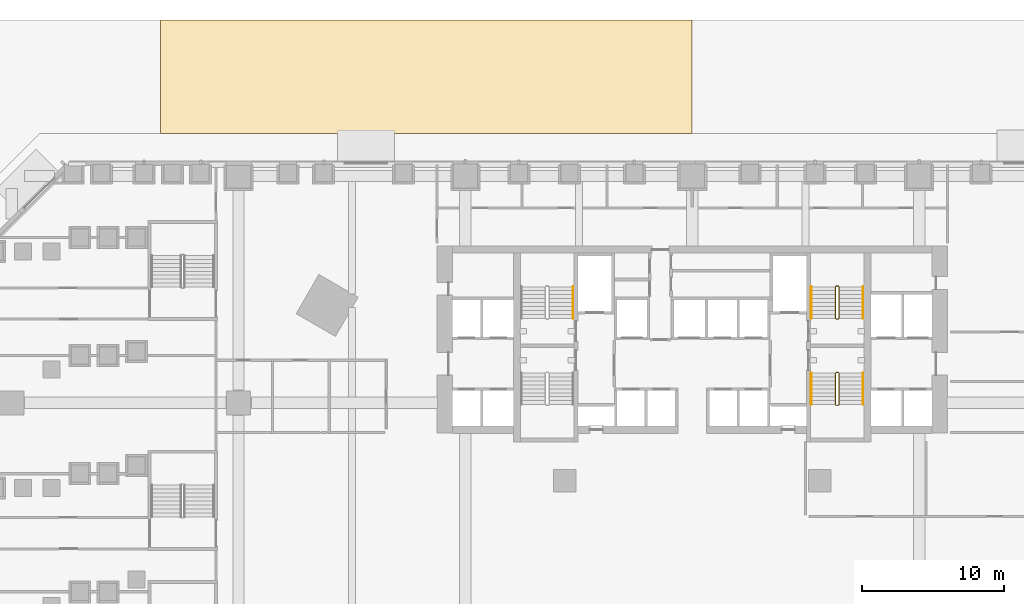
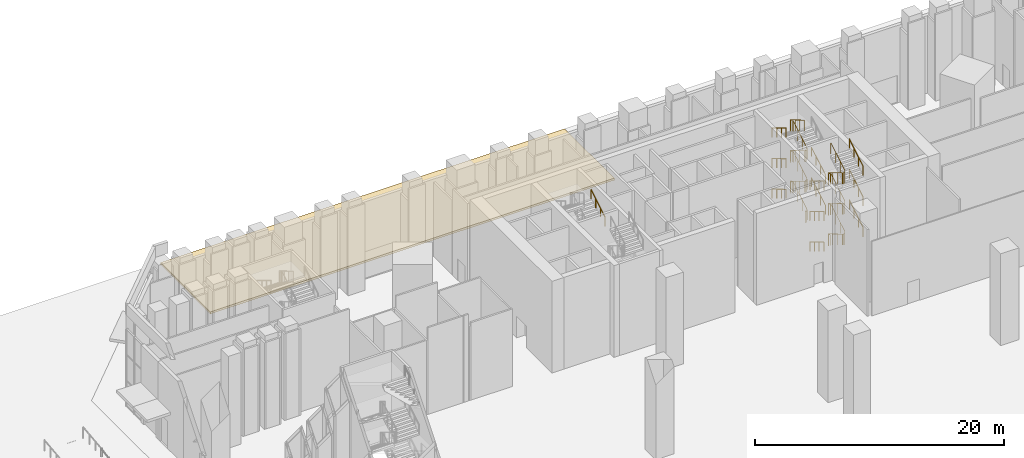
# One storey, part 47 of 51: 14 railings, 1 covering.
"""IFC4 building model written with IfcOpenShell, lengths in metres."""

from ifc_helpers import new_model, si_unit, direction, frame, origin, origin_2d, place, context, subcontext, project, spatial, polyline, circle, outline, extrude, material, layer, layer_set, type_object, element, save


model = new_model("IFC4")

# Units and contexts
model_context = context("Model", 3, precision=1e-05, world=origin(), true_north=direction((0.0, 1.0)))
body_context = subcontext(model_context, "Body", "Model", "MODEL_VIEW")
ifc_project = project(units=[si_unit("LENGTHUNIT", "METRE"), si_unit("AREAUNIT", "SQUARE_METRE"), si_unit("VOLUMEUNIT", "CUBIC_METRE"), si_unit("PLANEANGLEUNIT", "RADIAN"), si_unit("MASSUNIT", "GRAM", prefix="KILO")], contexts=[model_context])

# Site, building, storey
site_placement = place(None, origin())
site = spatial("IfcSite", under=ifc_project, at=site_placement, CompositionType="ELEMENT")
building_placement = place(site_placement, origin())
building = spatial("IfcBuilding", under=site, at=building_placement, Name="Calabash Gate Tower", CompositionType="ELEMENT")
storey_placement = place(building_placement, origin())
storey = spatial("IfcBuildingStorey", under=building, at=storey_placement, Name="L00", CompositionType="ELEMENT", Elevation=0.0)

# Covering
ifc_material_1 = material(Name="Granite paving on compacted gravel", Category="masonry")
ifc_layer = layer(ifc_material_1, 0.199951171875)
ifc_layer_set = layer_set([ifc_layer], Name="Granite paving slab 200")
covering_type = type_object("IfcCoveringType", Name="Granite paving slab 200", PredefinedType="FLOORING", material=ifc_layer_set)
covering_placement = place(storey_placement, frame((0.0, 0.0, -0.199951171875)))
element("IfcCovering", 1, at=covering_placement, inside=storey, type_object=covering_type, Name="Plaza paving 5", PredefinedType="FLOORING", context=body_context, shape_type="SweptSolid", body=[
    extrude(outline(polyline([(-37.5, 35.0), (-37.5, 27.0), (0.0, 27.0), (0.0, 35.0), (-37.5, 35.0)])), origin(), (0.0, 0.0, 1.0), 0.199951171875),
])

# Railings
ifc_material_2 = material(Name="Black powder-coated steel balusters", Category="steel")
railing_type_1 = type_object("IfcRailingType", Name="Stair guard RL1100", PredefinedType="GUARDRAIL", material=ifc_material_2)
railing_1_placement = place(storey_placement, frame((10.300048828125, 13.902587890625, 0.0)))
element("IfcRailing", 2, at=railing_1_placement, inside=storey, type_object=railing_type_1, Name="L00 ST3 stair guard 1", PredefinedType="GUARDRAIL", context=body_context, shape_type="SweptSolid", body=[
    extrude(circle(Radius=0.02392578125, at=origin_2d()), frame((0.0, 0.0, 1.076171875), z_axis=(-1.0, 0.0, 0.0), x_axis=(0.0, -1.0, 0.0)), (0.0, 0.0, 1.0), 0.150146484375),
    extrude(circle(Radius=0.02392578125, at=origin_2d()), frame((-0.150146484375, 0.0, 1.076171875), z_axis=(0.75457900375, 0.188644750937, 0.628509097026), x_axis=(-0.242535625036, 0.970142500145, 0.0)), (0.0, 0.0, 1.0), 0.265380859375),
    extrude(circle(Radius=0.02392578125, at=origin_2d()), frame((0.050048828125, 0.050048828125, 1.24267578125), z_axis=(0.0, 0.858493888361, 0.512823793955), x_axis=(-1.0, 0.0, 0.0)), (0.0, 0.0, 1.0), 2.599853515625),
    extrude(circle(Radius=0.02392578125, at=origin_2d()), frame((0.050048828125, 2.281982421875, 2.576171875), z_axis=(-0.707106781187, 0.707106781187, 0.0), x_axis=(-0.707106781187, -0.707106781187, 0.0)), (0.0, 0.0, 1.0), 0.07080078125),
    extrude(circle(Radius=0.02392578125, at=origin_2d()), frame((0.0, 2.33203125, 2.576171875), z_axis=(-1.0, 0.0, 0.0), x_axis=(0.0, -1.0, 0.0)), (0.0, 0.0, 1.0), 0.150146484375),
    extrude(circle(Radius=0.02392578125, at=origin_2d()), frame((-0.150146484375, 2.33203125, 2.576171875), z_axis=(-0.275041040955, -0.276389281352, 0.920848191041), x_axis=(0.708833529934, -0.705375805398, 0.0)), (0.0, 0.0, 1.0), 0.18115234375),
    extrude(circle(Radius=0.02392578125, at=origin_2d()), frame((-0.199951171875, 2.281982421875, 2.74267578125), z_axis=(0.0, -0.858493888361, 0.512823793955), x_axis=(1.0, 0.0, 0.0)), (0.0, 0.0, 1.0), 2.599853515625),
    extrude(circle(Radius=0.02392578125, at=origin_2d()), frame((-0.199951171875, 0.050048828125, 4.076171875), z_axis=(0.970072785993, -0.242814311512, 0.0), x_axis=(0.242814311512, 0.970072785993, 0.0)), (0.0, 0.0, 1.0), 0.2060546875),
    extrude(circle(Radius=0.02392578125, at=origin_2d()), frame((0.0, 0.0, 4.076171875), z_axis=(-1.0, 0.0, 0.0), x_axis=(0.0, -1.0, 0.0)), (0.0, 0.0, 1.0), 0.150146484375),
    extrude(circle(Radius=0.02392578125, at=origin_2d()), frame((-0.150146484375, 0.0, 4.076171875), z_axis=(0.75457900375, 0.188644750937, 0.628509097026), x_axis=(-0.242535625036, 0.970142500145, 0.0)), (0.0, 0.0, 1.0), 0.265380859375),
    extrude(circle(Radius=0.02392578125, at=origin_2d()), frame((0.050048828125, 0.050048828125, 4.24267578125), z_axis=(0.0, 0.858493888361, 0.512823793955), x_axis=(-1.0, 0.0, 0.0)), (0.0, 0.0, 1.0), 2.599853515625),
    extrude(circle(Radius=0.02392578125, at=origin_2d()), frame((0.050048828125, 2.281982421875, 5.576171875), z_axis=(-0.707106781187, 0.707106781187, 0.0), x_axis=(-0.707106781187, -0.707106781187, 0.0)), (0.0, 0.0, 1.0), 0.07080078125),
    extrude(circle(Radius=0.02392578125, at=origin_2d()), frame((0.0, 2.33203125, 5.576171875), z_axis=(-1.0, 0.0, 0.0), x_axis=(0.0, -1.0, 0.0)), (0.0, 0.0, 1.0), 0.150146484375),
    extrude(circle(Radius=0.02392578125, at=origin_2d()), frame((-0.150146484375, 2.33203125, 5.576171875), z_axis=(-0.275041040955, -0.276389281352, 0.920848191041), x_axis=(0.708833529934, -0.705375805398, 0.0)), (0.0, 0.0, 1.0), 0.18115234375),
    extrude(circle(Radius=0.02392578125, at=origin_2d()), frame((-0.199951171875, 2.281982421875, 5.74267578125), z_axis=(0.0, -0.858493888361, 0.512823793955), x_axis=(1.0, 0.0, 0.0)), (0.0, 0.0, 1.0), 2.599853515625),
    extrude(circle(Radius=0.02392578125, at=origin_2d()), frame((-0.199951171875, 0.050048828125, 7.076171875), z_axis=(0.970072785993, -0.242814311512, 0.0), x_axis=(0.242814311512, 0.970072785993, 0.0)), (0.0, 0.0, 1.0), 0.2060546875),
    extrude(circle(Radius=0.02392578125, at=origin_2d()), frame((0.0, 0.0, 7.076171875), z_axis=(-1.0, 0.0, 0.0), x_axis=(0.0, -1.0, 0.0)), (0.0, 0.0, 1.0), 0.150146484375),
    extrude(circle(Radius=0.02392578125, at=origin_2d()), frame((-0.150146484375, 0.0, 7.076171875), z_axis=(0.75457900375, 0.188644750937, 0.628509097026), x_axis=(-0.242535625036, 0.970142500145, 0.0)), (0.0, 0.0, 1.0), 0.265380859375),
    extrude(circle(Radius=0.02392578125, at=origin_2d()), frame((0.050048828125, 0.050048828125, 7.24267578125), z_axis=(0.0, 0.858493888361, 0.512823793955), x_axis=(-1.0, 0.0, 0.0)), (0.0, 0.0, 1.0), 2.599853515625),
    extrude(circle(Radius=0.02392578125, at=origin_2d()), frame((0.050048828125, 2.281982421875, 8.576171875), z_axis=(-0.707106781187, 0.707106781187, 0.0), x_axis=(-0.707106781187, -0.707106781187, 0.0)), (0.0, 0.0, 1.0), 0.07080078125),
    extrude(circle(Radius=0.02392578125, at=origin_2d()), frame((0.0, 2.33203125, 8.576171875), z_axis=(-1.0, 0.0, 0.0), x_axis=(0.0, -1.0, 0.0)), (0.0, 0.0, 1.0), 0.150146484375),
    extrude(circle(Radius=0.02392578125, at=origin_2d()), frame((-0.150146484375, 2.33203125, 8.576171875), z_axis=(-0.275041040955, -0.276389281352, 0.920848191041), x_axis=(0.708833529934, -0.705375805398, 0.0)), (0.0, 0.0, 1.0), 0.18115234375),
    extrude(circle(Radius=0.02392578125, at=origin_2d()), frame((-0.199951171875, 2.281982421875, 8.74267578125), z_axis=(0.0, -0.858493888361, 0.512823793955), x_axis=(1.0, 0.0, 0.0)), (0.0, 0.0, 1.0), 2.599853515625),
    extrude(circle(Radius=0.02099609375, at=origin_2d()), origin(), (0.0, 0.0, 1.0), 1.052001953125),
    extrude(circle(Radius=0.02099609375, at=origin_2d()), frame((-0.150146484375, 0.0, 0.0)), (0.0, 0.0, 1.0), 1.052001953125),
    extrude(circle(Radius=0.02099609375, at=origin_2d()), frame((0.050048828125, 0.050048828125, 0.166748046875)), (0.0, 0.0, 1.0), 1.052001953125),
    extrude(circle(Radius=0.02099609375, at=origin_2d()), frame((0.050048828125, 0.7939453125, 0.611083984375)), (0.0, 0.0, 1.0), 1.052001953125),
    extrude(circle(Radius=0.02099609375, at=origin_2d()), frame((0.050048828125, 1.5380859375, 1.0556640625)), (0.0, 0.0, 1.0), 1.052001953125),
    extrude(circle(Radius=0.02099609375, at=origin_2d()), frame((0.050048828125, 2.281982421875, 1.5)), (0.0, 0.0, 1.0), 1.052001953125),
    extrude(circle(Radius=0.02099609375, at=origin_2d()), frame((0.0, 2.33203125, 1.5)), (0.0, 0.0, 1.0), 1.052001953125),
    extrude(circle(Radius=0.02099609375, at=origin_2d()), frame((-0.150146484375, 2.33203125, 1.5)), (0.0, 0.0, 1.0), 1.052001953125),
    extrude(circle(Radius=0.02099609375, at=origin_2d()), frame((-0.199951171875, 2.281982421875, 1.666748046875)), (0.0, 0.0, 1.0), 1.052001953125),
    extrude(circle(Radius=0.02099609375, at=origin_2d()), frame((-0.199951171875, 1.5380859375, 2.111083984375)), (0.0, 0.0, 1.0), 1.052001953125),
    extrude(circle(Radius=0.02099609375, at=origin_2d()), frame((-0.199951171875, 0.7939453125, 2.5556640625)), (0.0, 0.0, 1.0), 1.052001953125),
    extrude(circle(Radius=0.02099609375, at=origin_2d()), frame((-0.199951171875, 0.050048828125, 3.0)), (0.0, 0.0, 1.0), 1.052001953125),
    extrude(circle(Radius=0.02099609375, at=origin_2d()), frame((0.0, 0.0, 3.0)), (0.0, 0.0, 1.0), 1.052001953125),
    extrude(circle(Radius=0.02099609375, at=origin_2d()), frame((-0.150146484375, 0.0, 3.0)), (0.0, 0.0, 1.0), 1.052001953125),
    extrude(circle(Radius=0.02099609375, at=origin_2d()), frame((0.050048828125, 0.050048828125, 3.166748046875)), (0.0, 0.0, 1.0), 1.052001953125),
    extrude(circle(Radius=0.02099609375, at=origin_2d()), frame((0.050048828125, 0.7939453125, 3.611083984375)), (0.0, 0.0, 1.0), 1.052001953125),
    extrude(circle(Radius=0.02099609375, at=origin_2d()), frame((0.050048828125, 1.5380859375, 4.0556640625)), (0.0, 0.0, 1.0), 1.052001953125),
    extrude(circle(Radius=0.02099609375, at=origin_2d()), frame((0.050048828125, 2.281982421875, 4.5)), (0.0, 0.0, 1.0), 1.052001953125),
    extrude(circle(Radius=0.02099609375, at=origin_2d()), frame((0.0, 2.33203125, 4.5)), (0.0, 0.0, 1.0), 1.052001953125),
    extrude(circle(Radius=0.02099609375, at=origin_2d()), frame((-0.150146484375, 2.33203125, 4.5)), (0.0, 0.0, 1.0), 1.052001953125),
    extrude(circle(Radius=0.02099609375, at=origin_2d()), frame((-0.199951171875, 2.281982421875, 4.666748046875)), (0.0, 0.0, 1.0), 1.052001953125),
    extrude(circle(Radius=0.02099609375, at=origin_2d()), frame((-0.199951171875, 1.5380859375, 5.111083984375)), (0.0, 0.0, 1.0), 1.052001953125),
    extrude(circle(Radius=0.02099609375, at=origin_2d()), frame((-0.199951171875, 0.7939453125, 5.5556640625)), (0.0, 0.0, 1.0), 1.052001953125),
    extrude(circle(Radius=0.02099609375, at=origin_2d()), frame((-0.199951171875, 0.050048828125, 6.0)), (0.0, 0.0, 1.0), 1.052001953125),
    extrude(circle(Radius=0.02099609375, at=origin_2d()), frame((0.0, 0.0, 6.0)), (0.0, 0.0, 1.0), 1.052001953125),
    extrude(circle(Radius=0.02099609375, at=origin_2d()), frame((-0.150146484375, 0.0, 6.0)), (0.0, 0.0, 1.0), 1.052001953125),
    extrude(circle(Radius=0.02099609375, at=origin_2d()), frame((0.050048828125, 0.050048828125, 6.166748046875)), (0.0, 0.0, 1.0), 1.052001953125),
    extrude(circle(Radius=0.02099609375, at=origin_2d()), frame((0.050048828125, 0.7939453125, 6.611083984375)), (0.0, 0.0, 1.0), 1.052001953125),
    extrude(circle(Radius=0.02099609375, at=origin_2d()), frame((0.050048828125, 1.5380859375, 7.0556640625)), (0.0, 0.0, 1.0), 1.052001953125),
    extrude(circle(Radius=0.02099609375, at=origin_2d()), frame((0.050048828125, 2.281982421875, 7.5)), (0.0, 0.0, 1.0), 1.052001953125),
    extrude(circle(Radius=0.02099609375, at=origin_2d()), frame((0.0, 2.33203125, 7.5)), (0.0, 0.0, 1.0), 1.052001953125),
    extrude(circle(Radius=0.02099609375, at=origin_2d()), frame((-0.150146484375, 2.33203125, 7.5)), (0.0, 0.0, 1.0), 1.052001953125),
    extrude(circle(Radius=0.02099609375, at=origin_2d()), frame((-0.199951171875, 2.281982421875, 7.666748046875)), (0.0, 0.0, 1.0), 1.052001953125),
    extrude(circle(Radius=0.02099609375, at=origin_2d()), frame((-0.199951171875, 1.5380859375, 8.111083984375)), (0.0, 0.0, 1.0), 1.052001953125),
    extrude(circle(Radius=0.02099609375, at=origin_2d()), frame((-0.199951171875, 0.7939453125, 8.5556640625)), (0.0, 0.0, 1.0), 1.052001953125),
    extrude(circle(Radius=0.02099609375, at=origin_2d()), frame((-0.199951171875, 0.050048828125, 9.0)), (0.0, 0.0, 1.0), 1.052001953125),
])
railing_2_placement = place(storey_placement, frame((10.14990234375, 10.152587890625, 0.0)))
element("IfcRailing", 3, at=railing_2_placement, inside=storey, type_object=railing_type_1, Name="L00 ST4 stair guard 1", PredefinedType="GUARDRAIL", context=body_context, shape_type="SweptSolid", body=[
    extrude(circle(Radius=0.02392578125, at=origin_2d()), frame((0.0, 0.0, 1.076171875), z_axis=(1.0, 0.0, 0.0), x_axis=(0.0, 1.0, 0.0)), (0.0, 0.0, 1.0), 0.150146484375),
    extrude(circle(Radius=0.02392578125, at=origin_2d()), frame((0.150146484375, 0.0, 1.076171875), z_axis=(-0.754182335027, -0.188775798145, 0.628945707965), x_axis=(0.242814311512, -0.970072785993, 0.0)), (0.0, 0.0, 1.0), 0.26513671875),
    extrude(circle(Radius=0.02392578125, at=origin_2d()), frame((-0.0498046875, -0.050048828125, 1.24267578125), z_axis=(0.0, -0.858493888361, 0.512823793955), x_axis=(1.0, 0.0, 0.0)), (0.0, 0.0, 1.0), 2.599853515625),
    extrude(circle(Radius=0.02392578125, at=origin_2d()), frame((-0.0498046875, -2.281982421875, 2.576171875), z_axis=(0.705375805398, -0.708833529934, 0.0), x_axis=(0.708833529934, 0.705375805398, 0.0)), (0.0, 0.0, 1.0), 0.070556640625),
    extrude(circle(Radius=0.02392578125, at=origin_2d()), frame((0.0, -2.33203125, 2.576171875), z_axis=(1.0, 0.0, 0.0), x_axis=(0.0, 1.0, 0.0)), (0.0, 0.0, 1.0), 0.150146484375),
    extrude(circle(Radius=0.02392578125, at=origin_2d()), frame((0.150146484375, -2.33203125, 2.576171875), z_axis=(0.27628659633, 0.27628659633, 0.920506074601), x_axis=(-0.707106781187, 0.707106781187, 0.0)), (0.0, 0.0, 1.0), 0.18115234375),
    extrude(circle(Radius=0.02392578125, at=origin_2d()), frame((0.2001953125, -2.281982421875, 2.74267578125), z_axis=(0.0, 0.858493888361, 0.512823793955), x_axis=(-1.0, 0.0, 0.0)), (0.0, 0.0, 1.0), 2.599853515625),
    extrude(circle(Radius=0.02392578125, at=origin_2d()), frame((0.2001953125, -0.050048828125, 4.076171875), z_axis=(-0.970142500145, 0.242535625036, 0.0), x_axis=(-0.242535625036, -0.970142500145, 0.0)), (0.0, 0.0, 1.0), 0.206298828125),
    extrude(circle(Radius=0.02392578125, at=origin_2d()), frame((0.0, 0.0, 4.076171875), z_axis=(1.0, 0.0, 0.0), x_axis=(0.0, 1.0, 0.0)), (0.0, 0.0, 1.0), 0.150146484375),
    extrude(circle(Radius=0.02392578125, at=origin_2d()), frame((0.150146484375, 0.0, 4.076171875), z_axis=(-0.754182335027, -0.188775798145, 0.628945707965), x_axis=(0.242814311512, -0.970072785993, 0.0)), (0.0, 0.0, 1.0), 0.26513671875),
    extrude(circle(Radius=0.02392578125, at=origin_2d()), frame((-0.0498046875, -0.050048828125, 4.24267578125), z_axis=(0.0, -0.858493888361, 0.512823793955), x_axis=(1.0, 0.0, 0.0)), (0.0, 0.0, 1.0), 2.599853515625),
    extrude(circle(Radius=0.02392578125, at=origin_2d()), frame((-0.0498046875, -2.281982421875, 5.576171875), z_axis=(0.705375805398, -0.708833529934, 0.0), x_axis=(0.708833529934, 0.705375805398, 0.0)), (0.0, 0.0, 1.0), 0.070556640625),
    extrude(circle(Radius=0.02392578125, at=origin_2d()), frame((0.0, -2.33203125, 5.576171875), z_axis=(1.0, 0.0, 0.0), x_axis=(0.0, 1.0, 0.0)), (0.0, 0.0, 1.0), 0.150146484375),
    extrude(circle(Radius=0.02392578125, at=origin_2d()), frame((0.150146484375, -2.33203125, 5.576171875), z_axis=(0.27628659633, 0.27628659633, 0.920506074601), x_axis=(-0.707106781187, 0.707106781187, 0.0)), (0.0, 0.0, 1.0), 0.18115234375),
    extrude(circle(Radius=0.02392578125, at=origin_2d()), frame((0.2001953125, -2.281982421875, 5.74267578125), z_axis=(0.0, 0.858493888361, 0.512823793955), x_axis=(-1.0, 0.0, 0.0)), (0.0, 0.0, 1.0), 2.599853515625),
    extrude(circle(Radius=0.02392578125, at=origin_2d()), frame((0.2001953125, -0.050048828125, 7.076171875), z_axis=(-0.970142500145, 0.242535625036, 0.0), x_axis=(-0.242535625036, -0.970142500145, 0.0)), (0.0, 0.0, 1.0), 0.206298828125),
    extrude(circle(Radius=0.02392578125, at=origin_2d()), frame((0.0, 0.0, 7.076171875), z_axis=(1.0, 0.0, 0.0), x_axis=(0.0, 1.0, 0.0)), (0.0, 0.0, 1.0), 0.150146484375),
    extrude(circle(Radius=0.02392578125, at=origin_2d()), frame((0.150146484375, 0.0, 7.076171875), z_axis=(-0.754182335027, -0.188775798145, 0.628945707965), x_axis=(0.242814311512, -0.970072785993, 0.0)), (0.0, 0.0, 1.0), 0.26513671875),
    extrude(circle(Radius=0.02392578125, at=origin_2d()), frame((-0.0498046875, -0.050048828125, 7.24267578125), z_axis=(0.0, -0.858493888361, 0.512823793955), x_axis=(1.0, 0.0, 0.0)), (0.0, 0.0, 1.0), 2.599853515625),
    extrude(circle(Radius=0.02392578125, at=origin_2d()), frame((-0.0498046875, -2.281982421875, 8.576171875), z_axis=(0.705375805398, -0.708833529934, 0.0), x_axis=(0.708833529934, 0.705375805398, 0.0)), (0.0, 0.0, 1.0), 0.070556640625),
    extrude(circle(Radius=0.02392578125, at=origin_2d()), frame((0.0, -2.33203125, 8.576171875), z_axis=(1.0, 0.0, 0.0), x_axis=(0.0, 1.0, 0.0)), (0.0, 0.0, 1.0), 0.150146484375),
    extrude(circle(Radius=0.02392578125, at=origin_2d()), frame((0.150146484375, -2.33203125, 8.576171875), z_axis=(0.27628659633, 0.27628659633, 0.920506074601), x_axis=(-0.707106781187, 0.707106781187, 0.0)), (0.0, 0.0, 1.0), 0.18115234375),
    extrude(circle(Radius=0.02392578125, at=origin_2d()), frame((0.2001953125, -2.281982421875, 8.74267578125), z_axis=(0.0, 0.858493888361, 0.512823793955), x_axis=(-1.0, 0.0, 0.0)), (0.0, 0.0, 1.0), 2.599853515625),
    extrude(circle(Radius=0.02099609375, at=origin_2d()), origin(), (0.0, 0.0, 1.0), 1.052001953125),
    extrude(circle(Radius=0.02099609375, at=origin_2d()), frame((0.150146484375, 0.0, 0.0)), (0.0, 0.0, 1.0), 1.052001953125),
    extrude(circle(Radius=0.02099609375, at=origin_2d()), frame((-0.0498046875, -0.050048828125, 0.166748046875)), (0.0, 0.0, 1.0), 1.052001953125),
    extrude(circle(Radius=0.02099609375, at=origin_2d()), frame((-0.0498046875, -0.7939453125, 0.611083984375)), (0.0, 0.0, 1.0), 1.052001953125),
    extrude(circle(Radius=0.02099609375, at=origin_2d()), frame((-0.0498046875, -1.5380859375, 1.0556640625)), (0.0, 0.0, 1.0), 1.052001953125),
    extrude(circle(Radius=0.02099609375, at=origin_2d()), frame((-0.0498046875, -2.281982421875, 1.5)), (0.0, 0.0, 1.0), 1.052001953125),
    extrude(circle(Radius=0.02099609375, at=origin_2d()), frame((0.0, -2.33203125, 1.5)), (0.0, 0.0, 1.0), 1.052001953125),
    extrude(circle(Radius=0.02099609375, at=origin_2d()), frame((0.150146484375, -2.33203125, 1.5)), (0.0, 0.0, 1.0), 1.052001953125),
    extrude(circle(Radius=0.02099609375, at=origin_2d()), frame((0.2001953125, -2.281982421875, 1.666748046875)), (0.0, 0.0, 1.0), 1.052001953125),
    extrude(circle(Radius=0.02099609375, at=origin_2d()), frame((0.2001953125, -1.5380859375, 2.111083984375)), (0.0, 0.0, 1.0), 1.052001953125),
    extrude(circle(Radius=0.02099609375, at=origin_2d()), frame((0.2001953125, -0.7939453125, 2.5556640625)), (0.0, 0.0, 1.0), 1.052001953125),
    extrude(circle(Radius=0.02099609375, at=origin_2d()), frame((0.2001953125, -0.050048828125, 3.0)), (0.0, 0.0, 1.0), 1.052001953125),
    extrude(circle(Radius=0.02099609375, at=origin_2d()), frame((0.0, 0.0, 3.0)), (0.0, 0.0, 1.0), 1.052001953125),
    extrude(circle(Radius=0.02099609375, at=origin_2d()), frame((0.150146484375, 0.0, 3.0)), (0.0, 0.0, 1.0), 1.052001953125),
    extrude(circle(Radius=0.02099609375, at=origin_2d()), frame((-0.0498046875, -0.050048828125, 3.166748046875)), (0.0, 0.0, 1.0), 1.052001953125),
    extrude(circle(Radius=0.02099609375, at=origin_2d()), frame((-0.0498046875, -0.7939453125, 3.611083984375)), (0.0, 0.0, 1.0), 1.052001953125),
    extrude(circle(Radius=0.02099609375, at=origin_2d()), frame((-0.0498046875, -1.5380859375, 4.0556640625)), (0.0, 0.0, 1.0), 1.052001953125),
    extrude(circle(Radius=0.02099609375, at=origin_2d()), frame((-0.0498046875, -2.281982421875, 4.5)), (0.0, 0.0, 1.0), 1.052001953125),
    extrude(circle(Radius=0.02099609375, at=origin_2d()), frame((0.0, -2.33203125, 4.5)), (0.0, 0.0, 1.0), 1.052001953125),
    extrude(circle(Radius=0.02099609375, at=origin_2d()), frame((0.150146484375, -2.33203125, 4.5)), (0.0, 0.0, 1.0), 1.052001953125),
    extrude(circle(Radius=0.02099609375, at=origin_2d()), frame((0.2001953125, -2.281982421875, 4.666748046875)), (0.0, 0.0, 1.0), 1.052001953125),
    extrude(circle(Radius=0.02099609375, at=origin_2d()), frame((0.2001953125, -1.5380859375, 5.111083984375)), (0.0, 0.0, 1.0), 1.052001953125),
    extrude(circle(Radius=0.02099609375, at=origin_2d()), frame((0.2001953125, -0.7939453125, 5.5556640625)), (0.0, 0.0, 1.0), 1.052001953125),
    extrude(circle(Radius=0.02099609375, at=origin_2d()), frame((0.2001953125, -0.050048828125, 6.0)), (0.0, 0.0, 1.0), 1.052001953125),
    extrude(circle(Radius=0.02099609375, at=origin_2d()), frame((0.0, 0.0, 6.0)), (0.0, 0.0, 1.0), 1.052001953125),
    extrude(circle(Radius=0.02099609375, at=origin_2d()), frame((0.150146484375, 0.0, 6.0)), (0.0, 0.0, 1.0), 1.052001953125),
    extrude(circle(Radius=0.02099609375, at=origin_2d()), frame((-0.0498046875, -0.050048828125, 6.166748046875)), (0.0, 0.0, 1.0), 1.052001953125),
    extrude(circle(Radius=0.02099609375, at=origin_2d()), frame((-0.0498046875, -0.7939453125, 6.611083984375)), (0.0, 0.0, 1.0), 1.052001953125),
    extrude(circle(Radius=0.02099609375, at=origin_2d()), frame((-0.0498046875, -1.5380859375, 7.0556640625)), (0.0, 0.0, 1.0), 1.052001953125),
    extrude(circle(Radius=0.02099609375, at=origin_2d()), frame((-0.0498046875, -2.281982421875, 7.5)), (0.0, 0.0, 1.0), 1.052001953125),
    extrude(circle(Radius=0.02099609375, at=origin_2d()), frame((0.0, -2.33203125, 7.5)), (0.0, 0.0, 1.0), 1.052001953125),
    extrude(circle(Radius=0.02099609375, at=origin_2d()), frame((0.150146484375, -2.33203125, 7.5)), (0.0, 0.0, 1.0), 1.052001953125),
    extrude(circle(Radius=0.02099609375, at=origin_2d()), frame((0.2001953125, -2.281982421875, 7.666748046875)), (0.0, 0.0, 1.0), 1.052001953125),
    extrude(circle(Radius=0.02099609375, at=origin_2d()), frame((0.2001953125, -1.5380859375, 8.111083984375)), (0.0, 0.0, 1.0), 1.052001953125),
    extrude(circle(Radius=0.02099609375, at=origin_2d()), frame((0.2001953125, -0.7939453125, 8.5556640625)), (0.0, 0.0, 1.0), 1.052001953125),
    extrude(circle(Radius=0.02099609375, at=origin_2d()), frame((0.2001953125, -0.050048828125, 9.0)), (0.0, 0.0, 1.0), 1.052001953125),
])
ifc_material_3 = material(Name="Black powder-coated steel tube 48 mm", Category="steel")
railing_type_2 = type_object("IfcRailingType", Name="Stair handrail RL900", PredefinedType="HANDRAIL", material=ifc_material_3)
for number, where, name in (
    (4, (-8.39990234375, 13.95263671875, 6.166748046875), "L00 ST1 stair handrail 5"),
    (5, (12.050048828125, 13.95263671875, 0.166748046875), "L00 ST3 stair handrail 1"),
):
    element("IfcRailing", number, at=place(storey_placement, frame(where)), inside=storey, type_object=railing_type_2, Name=name, PredefinedType="HANDRAIL", context=body_context, shape_type="SweptSolid", body=[
        extrude(circle(Radius=0.02392578125, at=origin_2d()), frame((0.0, 0.0, 0.8759765625), z_axis=(0.0, 0.858493888361, 0.512823793955), x_axis=(-1.0, 0.0, 0.0)), (0.0, 0.0, 1.0), 2.599853515625),
        extrude(circle(Radius=0.02099609375, at=origin_2d()), origin(), (0.0, 0.0, 1.0), 0.851806640625),
        extrude(circle(Radius=0.02099609375, at=origin_2d()), frame((0.0, 0.743896484375, 0.4443359375)), (0.0, 0.0, 1.0), 0.851806640625),
        extrude(circle(Radius=0.02099609375, at=origin_2d()), frame((0.0, 1.488037109375, 0.888916015625)), (0.0, 0.0, 1.0), 0.851806640625),
        extrude(circle(Radius=0.02099609375, at=origin_2d()), frame((0.0, 2.23193359375, 1.333251953125)), (0.0, 0.0, 1.0), 0.851806640625),
    ])
railing_3_placement = place(storey_placement, frame((8.39990234375, 16.1845703125, 1.666748046875)))
element("IfcRailing", 6, at=railing_3_placement, inside=storey, type_object=railing_type_2, Name="L00 ST3 stair handrail 2", PredefinedType="HANDRAIL", context=body_context, shape_type="SweptSolid", body=[
    extrude(circle(Radius=0.02392578125, at=origin_2d()), frame((0.0, 0.0, 0.8759765625), z_axis=(0.0, -0.858493888361, 0.512823793955), x_axis=(1.0, 0.0, 0.0)), (0.0, 0.0, 1.0), 2.599853515625),
    extrude(circle(Radius=0.02099609375, at=origin_2d()), origin(), (0.0, 0.0, 1.0), 0.851806640625),
    extrude(circle(Radius=0.02099609375, at=origin_2d()), frame((0.0, -0.743896484375, 0.4443359375)), (0.0, 0.0, 1.0), 0.851806640625),
    extrude(circle(Radius=0.02099609375, at=origin_2d()), frame((0.0, -1.488037109375, 0.888916015625)), (0.0, 0.0, 1.0), 0.851806640625),
    extrude(circle(Radius=0.02099609375, at=origin_2d()), frame((0.0, -2.23193359375, 1.333251953125)), (0.0, 0.0, 1.0), 0.851806640625),
])
railing_4_placement = place(storey_placement, frame((12.050048828125, 13.95263671875, 3.166748046875)))
element("IfcRailing", 7, at=railing_4_placement, inside=storey, type_object=railing_type_2, Name="L00 ST3 stair handrail 3", PredefinedType="HANDRAIL", context=body_context, shape_type="SweptSolid", body=[
    extrude(circle(Radius=0.02392578125, at=origin_2d()), frame((0.0, 0.0, 0.8759765625), z_axis=(0.0, 0.858493888361, 0.512823793955), x_axis=(-1.0, 0.0, 0.0)), (0.0, 0.0, 1.0), 2.599853515625),
    extrude(circle(Radius=0.02099609375, at=origin_2d()), origin(), (0.0, 0.0, 1.0), 0.851806640625),
    extrude(circle(Radius=0.02099609375, at=origin_2d()), frame((0.0, 0.743896484375, 0.4443359375)), (0.0, 0.0, 1.0), 0.851806640625),
    extrude(circle(Radius=0.02099609375, at=origin_2d()), frame((0.0, 1.488037109375, 0.888916015625)), (0.0, 0.0, 1.0), 0.851806640625),
    extrude(circle(Radius=0.02099609375, at=origin_2d()), frame((0.0, 2.23193359375, 1.333251953125)), (0.0, 0.0, 1.0), 0.851806640625),
])
for number, where, name in (
    (8, (8.39990234375, 16.1845703125, 4.666748046875), "L00 ST3 stair handrail 4"),
    (9, (8.39990234375, 16.1845703125, 7.666748046875), "L00 ST3 stair handrail 6"),
    (10, (8.39990234375, 10.1025390625, 0.166748046875), "L00 ST4 stair handrail 1"),
):
    element("IfcRailing", number, at=place(storey_placement, frame(where)), inside=storey, type_object=railing_type_2, Name=name, PredefinedType="HANDRAIL", context=body_context, shape_type="SweptSolid", body=[
        extrude(circle(Radius=0.02392578125, at=origin_2d()), frame((0.0, 0.0, 0.8759765625), z_axis=(0.0, -0.858493888361, 0.512823793955), x_axis=(1.0, 0.0, 0.0)), (0.0, 0.0, 1.0), 2.599853515625),
        extrude(circle(Radius=0.02099609375, at=origin_2d()), origin(), (0.0, 0.0, 1.0), 0.851806640625),
        extrude(circle(Radius=0.02099609375, at=origin_2d()), frame((0.0, -0.743896484375, 0.4443359375)), (0.0, 0.0, 1.0), 0.851806640625),
        extrude(circle(Radius=0.02099609375, at=origin_2d()), frame((0.0, -1.488037109375, 0.888916015625)), (0.0, 0.0, 1.0), 0.851806640625),
        extrude(circle(Radius=0.02099609375, at=origin_2d()), frame((0.0, -2.23193359375, 1.333251953125)), (0.0, 0.0, 1.0), 0.851806640625),
    ])
railing_5_placement = place(storey_placement, frame((12.050048828125, 7.87060546875, 1.666748046875)))
element("IfcRailing", 11, at=railing_5_placement, inside=storey, type_object=railing_type_2, Name="L00 ST4 stair handrail 2", PredefinedType="HANDRAIL", context=body_context, shape_type="SweptSolid", body=[
    extrude(circle(Radius=0.02392578125, at=origin_2d()), frame((0.0, 0.0, 0.8759765625), z_axis=(0.0, 0.858493888361, 0.512823793955), x_axis=(-1.0, 0.0, 0.0)), (0.0, 0.0, 1.0), 2.599853515625),
    extrude(circle(Radius=0.02099609375, at=origin_2d()), origin(), (0.0, 0.0, 1.0), 0.851806640625),
    extrude(circle(Radius=0.02099609375, at=origin_2d()), frame((0.0, 0.743896484375, 0.4443359375)), (0.0, 0.0, 1.0), 0.851806640625),
    extrude(circle(Radius=0.02099609375, at=origin_2d()), frame((0.0, 1.488037109375, 0.888916015625)), (0.0, 0.0, 1.0), 0.851806640625),
    extrude(circle(Radius=0.02099609375, at=origin_2d()), frame((0.0, 2.23193359375, 1.333251953125)), (0.0, 0.0, 1.0), 0.851806640625),
])
railing_6_placement = place(storey_placement, frame((8.39990234375, 10.1025390625, 3.166748046875)))
element("IfcRailing", 12, at=railing_6_placement, inside=storey, type_object=railing_type_2, Name="L00 ST4 stair handrail 3", PredefinedType="HANDRAIL", context=body_context, shape_type="SweptSolid", body=[
    extrude(circle(Radius=0.02392578125, at=origin_2d()), frame((0.0, 0.0, 0.8759765625), z_axis=(0.0, -0.858493888361, 0.512823793955), x_axis=(1.0, 0.0, 0.0)), (0.0, 0.0, 1.0), 2.599853515625),
    extrude(circle(Radius=0.02099609375, at=origin_2d()), origin(), (0.0, 0.0, 1.0), 0.851806640625),
    extrude(circle(Radius=0.02099609375, at=origin_2d()), frame((0.0, -0.743896484375, 0.4443359375)), (0.0, 0.0, 1.0), 0.851806640625),
    extrude(circle(Radius=0.02099609375, at=origin_2d()), frame((0.0, -1.488037109375, 0.888916015625)), (0.0, 0.0, 1.0), 0.851806640625),
    extrude(circle(Radius=0.02099609375, at=origin_2d()), frame((0.0, -2.23193359375, 1.333251953125)), (0.0, 0.0, 1.0), 0.851806640625),
])
railing_7_placement = place(storey_placement, frame((12.050048828125, 7.87060546875, 4.666748046875)))
element("IfcRailing", 13, at=railing_7_placement, inside=storey, type_object=railing_type_2, Name="L00 ST4 stair handrail 4", PredefinedType="HANDRAIL", context=body_context, shape_type="SweptSolid", body=[
    extrude(circle(Radius=0.02392578125, at=origin_2d()), frame((0.0, 0.0, 0.8759765625), z_axis=(0.0, 0.858493888361, 0.512823793955), x_axis=(-1.0, 0.0, 0.0)), (0.0, 0.0, 1.0), 2.599853515625),
    extrude(circle(Radius=0.02099609375, at=origin_2d()), origin(), (0.0, 0.0, 1.0), 0.851806640625),
    extrude(circle(Radius=0.02099609375, at=origin_2d()), frame((0.0, 0.743896484375, 0.4443359375)), (0.0, 0.0, 1.0), 0.851806640625),
    extrude(circle(Radius=0.02099609375, at=origin_2d()), frame((0.0, 1.488037109375, 0.888916015625)), (0.0, 0.0, 1.0), 0.851806640625),
    extrude(circle(Radius=0.02099609375, at=origin_2d()), frame((0.0, 2.23193359375, 1.333251953125)), (0.0, 0.0, 1.0), 0.851806640625),
])
railing_8_placement = place(storey_placement, frame((8.39990234375, 10.1025390625, 6.166748046875)))
element("IfcRailing", 14, at=railing_8_placement, inside=storey, type_object=railing_type_2, Name="L00 ST4 stair handrail 5", PredefinedType="HANDRAIL", context=body_context, shape_type="SweptSolid", body=[
    extrude(circle(Radius=0.02392578125, at=origin_2d()), frame((0.0, 0.0, 0.8759765625), z_axis=(0.0, -0.858493888361, 0.512823793955), x_axis=(1.0, 0.0, 0.0)), (0.0, 0.0, 1.0), 2.599853515625),
    extrude(circle(Radius=0.02099609375, at=origin_2d()), origin(), (0.0, 0.0, 1.0), 0.851806640625),
    extrude(circle(Radius=0.02099609375, at=origin_2d()), frame((0.0, -0.743896484375, 0.4443359375)), (0.0, 0.0, 1.0), 0.851806640625),
    extrude(circle(Radius=0.02099609375, at=origin_2d()), frame((0.0, -1.488037109375, 0.888916015625)), (0.0, 0.0, 1.0), 0.851806640625),
    extrude(circle(Radius=0.02099609375, at=origin_2d()), frame((0.0, -2.23193359375, 1.333251953125)), (0.0, 0.0, 1.0), 0.851806640625),
])
railing_9_placement = place(storey_placement, frame((12.050048828125, 7.87060546875, 7.666748046875)))
element("IfcRailing", 15, at=railing_9_placement, inside=storey, type_object=railing_type_2, Name="L00 ST4 stair handrail 6", PredefinedType="HANDRAIL", context=body_context, shape_type="SweptSolid", body=[
    extrude(circle(Radius=0.02392578125, at=origin_2d()), frame((0.0, 0.0, 0.8759765625), z_axis=(0.0, 0.858493888361, 0.512823793955), x_axis=(-1.0, 0.0, 0.0)), (0.0, 0.0, 1.0), 2.599853515625),
    extrude(circle(Radius=0.02099609375, at=origin_2d()), origin(), (0.0, 0.0, 1.0), 0.851806640625),
    extrude(circle(Radius=0.02099609375, at=origin_2d()), frame((0.0, 0.743896484375, 0.4443359375)), (0.0, 0.0, 1.0), 0.851806640625),
    extrude(circle(Radius=0.02099609375, at=origin_2d()), frame((0.0, 1.488037109375, 0.888916015625)), (0.0, 0.0, 1.0), 0.851806640625),
    extrude(circle(Radius=0.02099609375, at=origin_2d()), frame((0.0, 2.23193359375, 1.333251953125)), (0.0, 0.0, 1.0), 0.851806640625),
])

save(model, "model.ifc")
